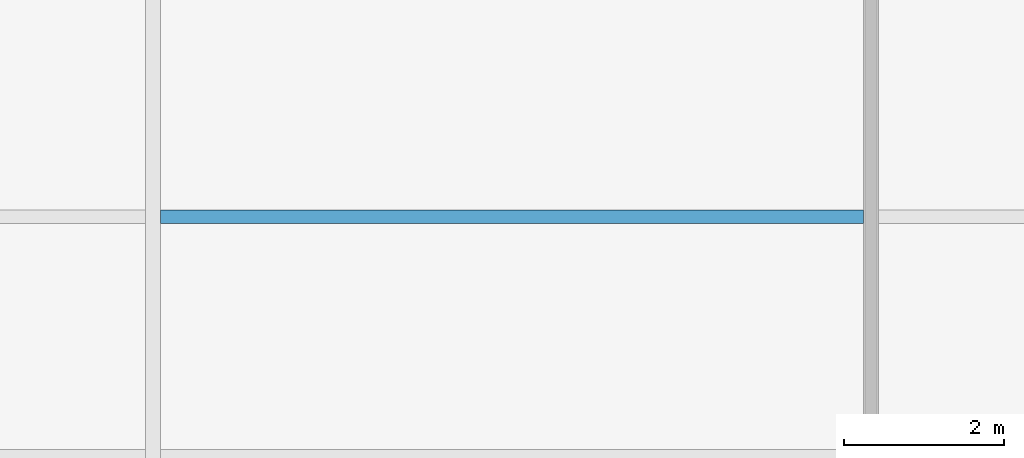
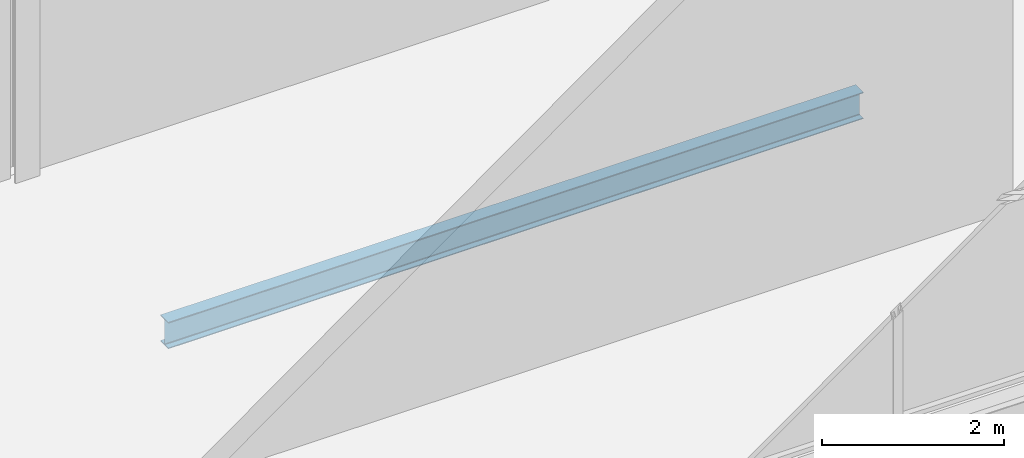
# One storey, part 63 of 111: 1 beam.
"""IFC4 building model written with IfcOpenShell, lengths in metres."""

from ifc_helpers import new_model, si_unit, direction, frame, origin, origin_2d, place, context, subcontext, project, spatial, i_section, extrude, material, material_profile, profile_set, type_object, element, save


model = new_model("IFC4")

# Units and contexts
model_context = context("Model", 3, precision=1e-05, world=origin(), true_north=direction((0.0, 1.0)))
body_context = subcontext(model_context, "Body", "Model", "MODEL_VIEW")
ifc_project = project(units=[si_unit("LENGTHUNIT", "METRE"), si_unit("AREAUNIT", "SQUARE_METRE"), si_unit("VOLUMEUNIT", "CUBIC_METRE"), si_unit("PLANEANGLEUNIT", "RADIAN"), si_unit("MASSUNIT", "GRAM", prefix="KILO")], contexts=[model_context])

# Site, building, storey
site_placement = place(None, origin())
site = spatial("IfcSite", under=ifc_project, at=site_placement, CompositionType="ELEMENT")
building_placement = place(site_placement, origin())
building = spatial("IfcBuilding", under=site, at=building_placement, Name="Shorebreak Coast Museum", CompositionType="ELEMENT")
storey_placement = place(building_placement, frame((0.0, 0.0, 16.0)))
storey = spatial("IfcBuildingStorey", under=building, at=storey_placement, Name="L03", CompositionType="ELEMENT", Elevation=16.0)

# Beam
ifc_material = material(Name="Steel Grade 300", Category="steel")
ifc_material_profile = material_profile(ifc_material, i_section(OverallWidth=0.1708984375, OverallDepth=0.355712890625, WebThickness=0.00732421875, FlangeThickness=0.011474609375, FilletRadius=0.011474609375, at=origin_2d()), Name="360UB50.7")
ifc_profile_set = profile_set([ifc_material_profile], Name="Steel Grade 300")
beam_type = type_object("IfcBeamType", Name="Floor joist 360UB50.7", PredefinedType="JOIST", material=ifc_profile_set)
beam_placement = place(storey_placement, frame((90.094970703125, 87.0, -0.352783203125), z_axis=(1.0, 0.0, 0.0), x_axis=(0.0, 1.0, 0.0)))
element("IfcBeam", 1, at=beam_placement, inside=storey, type_object=beam_type, Name="Floor joist L03 bay 11K at 6000 mm", PredefinedType="JOIST", context=body_context, shape_type="SweptSolid", body=[
    extrude(i_section(OverallWidth=0.1708984375, OverallDepth=0.355712890625, WebThickness=0.00732421875, FlangeThickness=0.011474609375, FilletRadius=0.011474609375, at=origin_2d()), origin(), (0.0, 0.0, 1.0), 8.81005859375),
])

save(model, "model.ifc")
